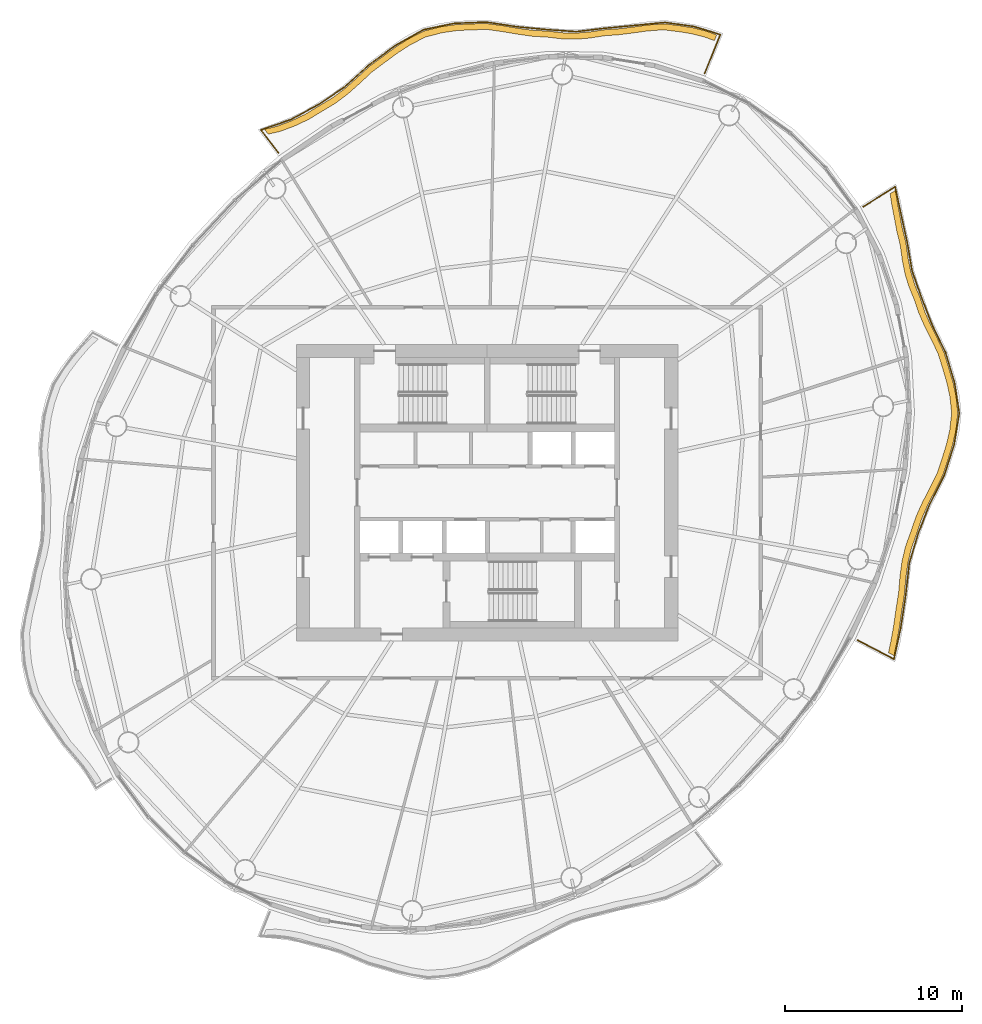
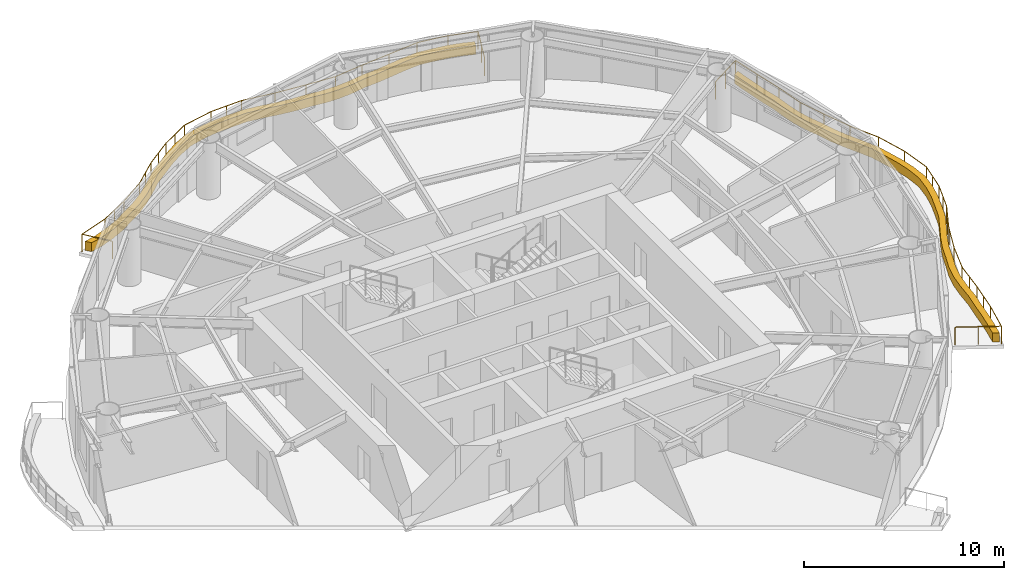
# One storey, part 14 of 14: 2 coverings, 2 railings.
"""IFC4 building model written with IfcOpenShell, lengths in metres."""

from ifc_helpers import new_model, si_unit, direction, frame, origin, origin_2d, place, context, subcontext, project, spatial, polyline, circle, outline, extrude, material, type_object, element, save


model = new_model("IFC4")

# Units and contexts
model_context = context("Model", 3, precision=1e-05, world=origin(), true_north=direction((0.0, 1.0)))
body_context = subcontext(model_context, "Body", "Model", "MODEL_VIEW")
ifc_project = project(units=[si_unit("LENGTHUNIT", "METRE"), si_unit("AREAUNIT", "SQUARE_METRE"), si_unit("VOLUMEUNIT", "CUBIC_METRE"), si_unit("PLANEANGLEUNIT", "RADIAN"), si_unit("MASSUNIT", "GRAM", prefix="KILO")], contexts=[model_context])

# Site, building, storey
site_placement = place(None, origin())
site = spatial("IfcSite", under=ifc_project, at=site_placement, CompositionType="ELEMENT")
building_placement = place(site_placement, origin())
building = spatial("IfcBuilding", under=site, at=building_placement, Name="Vermilion Reach Broadcast Tower", CompositionType="ELEMENT")
storey_placement = place(building_placement, frame((0.0, 0.0, 231.699951171875)))
storey = spatial("IfcBuildingStorey", under=building, at=storey_placement, Name="L57", CompositionType="ELEMENT", Elevation=231.699951171875)

# Coverings
ifc_material_1 = material(Name="Planting soil and greenery")
covering_type = type_object("IfcCoveringType", Name="Balcony PLANTER", PredefinedType="USERDEFINED", material=ifc_material_1)
placement = place(storey_placement, origin())
element("IfcCovering", 1, at=placement, inside=storey, type_object=covering_type, Name="PLANTER L57 group 1", ObjectType="PLANTER", PredefinedType="USERDEFINED", context=body_context, shape_type="SweptSolid", body=[
    extrude(outline(polyline([(7.0029296875, 25.924072265625), (6.413818359375, 26.1416015625), (5.696044921875, 26.32470703125), (4.95751953125, 26.443115234375), (4.050537109375, 26.55615234375), (3.114013671875, 26.491455078125), (2.33203125, 26.384033203125), (1.551025390625, 26.28271484375), (0.684814453125, 26.226318359375), (-0.182373046875, 26.09521484375), (-0.957763671875, 26.033203125), (-1.73193359375, 26.04931640625), (-2.582275390625, 26.144775390625), (-3.466796875, 26.194091796875), (-4.281005859375, 26.306396484375), (-5.098388671875, 26.447509765625), (-6.04248046875, 26.57421875), (-7.009521484375, 26.55078125), (-7.8388671875, 26.504638671875), (-8.649658203125, 26.384521484375), (-9.583740234375, 26.144287109375), (-10.46728515625, 25.701416015625), (-11.183837890625, 25.239990234375), (-11.880126953125, 24.7265625), (-12.65966796875, 24.15380859375), (-13.383056640625, 23.487548828125), (-14.03857421875, 22.90478515625), (-14.726806640625, 22.384033203125), (-15.50927734375, 21.91455078125), (-16.299560546875, 21.431884765625), (-17.09326171875, 21.05859375), (-17.927490234375, 20.7451171875), (-18.615478515625, 20.5830078125), (-18.40234375, 20.305419921875), (-17.72998046875, 20.4560546875), (-16.8955078125, 20.769775390625), (-16.10205078125, 21.142822265625), (-15.328125, 21.614990234375), (-14.56298828125, 22.074951171875), (-13.874755859375, 22.595458984375), (-13.21923828125, 23.17822265625), (-12.51416015625, 23.83544921875), (-11.75341796875, 24.400390625), (-11.05712890625, 24.91357421875), (-10.340576171875, 25.375), (-9.477294921875, 25.81103515625), (-8.563720703125, 26.045166015625), (-7.7529296875, 26.165283203125), (-6.92333984375, 26.21142578125), (-5.978515625, 26.22998046875), (-5.056640625, 26.099853515625), (-4.239013671875, 25.958984375), (-3.425048828125, 25.8466796875), (-2.564208984375, 25.795166015625), (-1.7373046875, 25.69921875), (-0.963134765625, 25.68310546875), (-0.18798828125, 25.745361328125), (0.654541015625, 25.877685546875), (1.49609375, 25.937255859375), (2.277099609375, 26.038330078125), (3.05908203125, 26.145751953125), (3.969970703125, 26.215576171875), (4.851806640625, 26.109375), (5.59033203125, 25.9912109375), (6.30810546875, 25.807861328125), (6.871826171875, 25.599609375), (7.0029296875, 25.924072265625)])), origin(), (0.0, 0.0, 1.0), 0.550048828125),
])
element("IfcCovering", 2, at=placement, inside=storey, type_object=covering_type, Name="PLANTER L57 group 4", ObjectType="PLANTER", PredefinedType="USERDEFINED", context=body_context, shape_type="SweptSolid", body=[
    extrude(outline(polyline([(17.03857421875, -9.228271484375), (17.1875, -8.530517578125), (17.34521484375, -7.651123046875), (17.469970703125, -6.75634765625), (17.6298828125, -5.78515625), (17.7119140625, -4.8271484375), (17.830322265625, -3.969482421875), (18.030517578125, -3.138671875), (18.341064453125, -2.27734375), (18.6318359375, -1.419677734375), (18.9814453125, -0.638671875), (19.37841796875, 0.13330078125), (19.814697265625, 1.01416015625), (20.11669921875, 1.923828125), (20.36572265625, 2.72265625), (20.546630859375, 3.526611328125), (20.6572265625, 4.493896484375), (20.55810546875, 5.442138671875), (20.390380859375, 6.229248046875), (20.16015625, 7.01318359375), (19.88427734375, 7.92041015625), (19.485107421875, 8.760986328125), (19.124267578125, 9.48046875), (18.80224609375, 10.20751953125), (18.525146484375, 11.02294921875), (18.21044921875, 11.79638671875), (17.99267578125, 12.520263671875), (17.84326171875, 13.267822265625), (17.72021484375, 14.1298828125), (17.51171875, 14.968017578125), (17.368896484375, 15.72705078125), (17.224609375, 16.485595703125), (17.119384765625, 17.116943359375), (16.822021484375, 16.932373046875), (16.9140625, 16.324462890625), (17.058349609375, 15.56591796875), (17.201171875, 14.806884765625), (17.3984375, 13.9921875), (17.51220703125, 13.154541015625), (17.66162109375, 12.406982421875), (17.879150390625, 11.68310546875), (18.186767578125, 10.933349609375), (18.458251953125, 10.142578125), (18.7802734375, 9.41552734375), (19.14111328125, 8.69580078125), (19.536865234375, 7.878662109375), (19.810791015625, 6.994873046875), (20.040771484375, 6.211181640625), (20.20849609375, 5.424072265625), (20.307373046875, 4.498046875), (20.19775390625, 3.55322265625), (20.0166015625, 2.749267578125), (19.767578125, 1.950439453125), (19.468017578125, 1.06201171875), (19.03515625, 0.202392578125), (18.638427734375, -0.569580078125), (18.28857421875, -1.350830078125), (18.002685546875, -2.1884765625), (17.69775390625, -3.030029296875), (17.49755859375, -3.861083984375), (17.37939453125, -4.718505859375), (17.3037109375, -5.657958984375), (17.151611328125, -6.611083984375), (17.02685546875, -7.505615234375), (16.869140625, -8.38525390625), (16.728759765625, -9.065673828125), (17.03857421875, -9.228271484375)])), origin(), (0.0, 0.0, 1.0), 0.550048828125),
])

# Railings
ifc_material_2 = material(Name="Stainless steel 316 balustrade", Category="steel")
railing_type = type_object("IfcRailingType", Name="Balcony guard 1100", PredefinedType="BALUSTRADE", material=ifc_material_2)
railing_1_placement = place(storey_placement, frame((6.321044921875, 23.75830078125, 0.0)))
element("IfcRailing", 3, at=railing_1_placement, inside=storey, type_object=railing_type, Name="Balcony guard L57 group 1", PredefinedType="BALUSTRADE", context=body_context, shape_type="SweptSolid", body=[
    extrude(circle(Radius=0.02490234375, at=origin_2d()), frame((0.0, 0.0, 1.0751953125), z_axis=(0.374762662245, 0.927120783387, 0.0), x_axis=(-0.927120783387, 0.374762662245, 0.0)), (0.0, 0.0, 1.0), 2.357666015625),
    extrude(circle(Radius=0.02490234375, at=origin_2d()), frame((0.883544921875, 2.185791015625, 1.0751953125), z_axis=(-0.955724612603, 0.294262578091, 0.0), x_axis=(-0.294262578091, -0.955724612603, 0.0)), (0.0, 0.0, 1.0), 1.55322265625),
    extrude(circle(Radius=0.02490234375, at=origin_2d()), frame((-0.600830078125, 2.642822265625, 1.0751953125), z_axis=(-0.990199719884, 0.139658564868, 0.0), x_axis=(-0.139658564868, -0.990199719884, 0.0)), (0.0, 0.0, 1.0), 1.667724609375),
    extrude(circle(Radius=0.02490234375, at=origin_2d()), frame((-2.252197265625, 2.875732421875, 1.0751953125), z_axis=(-0.995109473683, -0.09877821312, 0.0), x_axis=(0.09877821312, -0.995109473683, 0.0)), (0.0, 0.0, 1.0), 1.732666015625),
    extrude(circle(Radius=0.02490234375, at=origin_2d()), frame((-3.976318359375, 2.70458984375, 1.0751953125), z_axis=(-0.995533723564, -0.094406595351, 0.0), x_axis=(0.094406595351, -0.995533723564, 0.0)), (0.0, 0.0, 1.0), 1.66015625),
    extrude(circle(Radius=0.02490234375, at=origin_2d()), frame((-5.629150390625, 2.5478515625, 1.0751953125), z_axis=(-0.993207717961, -0.116354754874, 0.0), x_axis=(0.116354754874, -0.993207717961, 0.0)), (0.0, 0.0, 1.0), 1.65966796875),
    extrude(circle(Radius=0.02490234375, at=origin_2d()), frame((-7.277587890625, 2.354736328125, 1.0751953125), z_axis=(-0.99766591291, 0.068284157885, 0.0), x_axis=(-0.068284157885, -0.99766591291, 0.0)), (0.0, 0.0, 1.0), 1.634033203125),
    extrude(circle(Radius=0.02490234375, at=origin_2d()), frame((-8.90771484375, 2.46630859375, 1.0751953125), z_axis=(-0.995544703685, 0.094290736371, 0.0), x_axis=(-0.094290736371, -0.995544703685, 0.0)), (0.0, 0.0, 1.0), 1.71142578125),
    extrude(circle(Radius=0.02490234375, at=origin_2d()), frame((-10.611572265625, 2.627685546875, 1.0751953125), z_axis=(-0.988783480701, 0.149356045385, 0.0), x_axis=(-0.149356045385, -0.988783480701, 0.0)), (0.0, 0.0, 1.0), 1.78662109375),
    extrude(circle(Radius=0.02490234375, at=origin_2d()), frame((-12.378173828125, 2.89453125, 1.0751953125), z_axis=(-0.999228620231, -0.039270402476, 0.0), x_axis=(0.039270402476, -0.999228620231, 0.0)), (0.0, 0.0, 1.0), 1.802978515625),
    extrude(circle(Radius=0.02490234375, at=origin_2d()), frame((-14.1796875, 2.82373046875, 1.0751953125), z_axis=(-0.979331418122, -0.2022621405, 0.0), x_axis=(0.2022621405, -0.979331418122, 0.0)), (0.0, 0.0, 1.0), 1.786376953125),
    extrude(circle(Radius=0.02490234375, at=origin_2d()), frame((-15.92919921875, 2.46240234375, 1.0751953125), z_axis=(-0.870710851758, -0.491795295454, 0.0), x_axis=(0.491795295454, -0.870710851758, 0.0)), (0.0, 0.0, 1.0), 1.8427734375),
    extrude(circle(Radius=0.02490234375, at=origin_2d()), frame((-17.53369140625, 1.55615234375, 1.0751953125), z_axis=(-0.805783446551, -0.592210298175, 0.0), x_axis=(0.592210298175, -0.805783446551, 0.0)), (0.0, 0.0, 1.0), 1.8369140625),
    extrude(circle(Radius=0.02490234375, at=origin_2d()), frame((-19.013916015625, 0.46826171875, 1.0751953125), z_axis=(-0.741631917112, -0.670807050888, 0.0), x_axis=(0.670807050888, -0.741631917112, 0.0)), (0.0, 0.0, 1.0), 1.864990234375),
    extrude(circle(Radius=0.02490234375, at=origin_2d()), frame((-20.39697265625, -0.78271484375, 1.0751953125), z_axis=(-0.829548594758, -0.558434534153, 0.0), x_axis=(0.558434534153, -0.829548594758, 0.0)), (0.0, 0.0, 1.0), 1.777587890625),
    extrude(circle(Radius=0.02490234375, at=origin_2d()), frame((-21.87158203125, -1.775390625, 1.0751953125), z_axis=(-0.879744741967, -0.475446305045, 0.0), x_axis=(0.475446305045, -0.879744741967, 0.0)), (0.0, 0.0, 1.0), 1.804931640625),
    extrude(circle(Radius=0.02490234375, at=origin_2d()), frame((-23.45947265625, -2.633544921875, 1.0751953125), z_axis=(-0.94494019597, -0.327243068742, 0.0), x_axis=(0.327243068742, -0.94494019597, 0.0)), (0.0, 0.0, 1.0), 1.77197265625),
    extrude(circle(Radius=0.02490234375, at=origin_2d()), frame((-25.1337890625, -3.21337890625, 1.0751953125), z_axis=(0.608954046078, -0.793205502859, 0.0), x_axis=(0.793205502859, 0.608954046078, 0.0)), (0.0, 0.0, 1.0), 1.6376953125),
    extrude(circle(Radius=0.02490234375, at=origin_2d()), origin(), (0.0, 0.0, 1.0), 1.050048828125),
    extrude(circle(Radius=0.02490234375, at=origin_2d()), frame((0.44189453125, 1.0927734375, 0.0)), (0.0, 0.0, 1.0), 1.050048828125),
    extrude(circle(Radius=0.02490234375, at=origin_2d()), frame((0.883544921875, 2.185791015625, 0.0)), (0.0, 0.0, 1.0), 1.050048828125),
    extrude(circle(Radius=0.02490234375, at=origin_2d()), frame((-0.600830078125, 2.642822265625, 0.0)), (0.0, 0.0, 1.0), 1.050048828125),
    extrude(circle(Radius=0.02490234375, at=origin_2d()), frame((-2.252197265625, 2.875732421875, 0.0)), (0.0, 0.0, 1.0), 1.050048828125),
    extrude(circle(Radius=0.02490234375, at=origin_2d()), frame((-3.976318359375, 2.70458984375, 0.0)), (0.0, 0.0, 1.0), 1.050048828125),
    extrude(circle(Radius=0.02490234375, at=origin_2d()), frame((-5.629150390625, 2.5478515625, 0.0)), (0.0, 0.0, 1.0), 1.050048828125),
    extrude(circle(Radius=0.02490234375, at=origin_2d()), frame((-7.277587890625, 2.354736328125, 0.0)), (0.0, 0.0, 1.0), 1.050048828125),
    extrude(circle(Radius=0.02490234375, at=origin_2d()), frame((-8.90771484375, 2.46630859375, 0.0)), (0.0, 0.0, 1.0), 1.050048828125),
    extrude(circle(Radius=0.02490234375, at=origin_2d()), frame((-10.611572265625, 2.627685546875, 0.0)), (0.0, 0.0, 1.0), 1.050048828125),
    extrude(circle(Radius=0.02490234375, at=origin_2d()), frame((-12.378173828125, 2.89453125, 0.0)), (0.0, 0.0, 1.0), 1.050048828125),
    extrude(circle(Radius=0.02490234375, at=origin_2d()), frame((-13.27880859375, 2.859130859375, 0.0)), (0.0, 0.0, 1.0), 1.050048828125),
    extrude(circle(Radius=0.02490234375, at=origin_2d()), frame((-14.1796875, 2.82373046875, 0.0)), (0.0, 0.0, 1.0), 1.050048828125),
    extrude(circle(Radius=0.02490234375, at=origin_2d()), frame((-15.92919921875, 2.46240234375, 0.0)), (0.0, 0.0, 1.0), 1.050048828125),
    extrude(circle(Radius=0.02490234375, at=origin_2d()), frame((-16.7314453125, 2.00927734375, 0.0)), (0.0, 0.0, 1.0), 1.050048828125),
    extrude(circle(Radius=0.02490234375, at=origin_2d()), frame((-17.53369140625, 1.55615234375, 0.0)), (0.0, 0.0, 1.0), 1.050048828125),
    extrude(circle(Radius=0.02490234375, at=origin_2d()), frame((-18.27392578125, 1.01220703125, 0.0)), (0.0, 0.0, 1.0), 1.050048828125),
    extrude(circle(Radius=0.02490234375, at=origin_2d()), frame((-19.013916015625, 0.46826171875, 0.0)), (0.0, 0.0, 1.0), 1.050048828125),
    extrude(circle(Radius=0.02490234375, at=origin_2d()), frame((-19.70556640625, -0.1572265625, 0.0)), (0.0, 0.0, 1.0), 1.050048828125),
    extrude(circle(Radius=0.02490234375, at=origin_2d()), frame((-20.39697265625, -0.78271484375, 0.0)), (0.0, 0.0, 1.0), 1.050048828125),
    extrude(circle(Radius=0.02490234375, at=origin_2d()), frame((-21.87158203125, -1.775390625, 0.0)), (0.0, 0.0, 1.0), 1.050048828125),
    extrude(circle(Radius=0.02490234375, at=origin_2d()), frame((-22.66552734375, -2.20458984375, 0.0)), (0.0, 0.0, 1.0), 1.050048828125),
    extrude(circle(Radius=0.02490234375, at=origin_2d()), frame((-23.45947265625, -2.633544921875, 0.0)), (0.0, 0.0, 1.0), 1.050048828125),
    extrude(circle(Radius=0.02490234375, at=origin_2d()), frame((-25.1337890625, -3.21337890625, 0.0)), (0.0, 0.0, 1.0), 1.050048828125),
    extrude(circle(Radius=0.02490234375, at=origin_2d()), frame((-24.136474609375, -4.512451171875, 0.0)), (0.0, 0.0, 1.0), 1.050048828125),
])
railing_2_placement = place(storey_placement, frame((14.98193359375, -8.3525390625, 0.0)))
element("IfcRailing", 4, at=railing_2_placement, inside=storey, type_object=railing_type, Name="Balcony guard L57 group 4", PredefinedType="BALUSTRADE", context=body_context, shape_type="SweptSolid", body=[
    extrude(circle(Radius=0.02490234375, at=origin_2d()), frame((0.0, 0.0, 1.0751953125), z_axis=(0.885579897474, -0.464487077528, 0.0), x_axis=(0.464487077528, 0.885579897474, 0.0)), (0.0, 0.0, 1.0), 2.31787109375),
    extrude(circle(Radius=0.02490234375, at=origin_2d()), frame((2.052734375, -1.07666015625, 1.0751953125), z_axis=(0.214556750048, 0.976711523946, 0.0), x_axis=(-0.976711523946, 0.214556750048, 0.0)), (0.0, 0.0, 1.0), 1.786376953125),
    extrude(circle(Radius=0.02490234375, at=origin_2d()), frame((2.43603515625, 0.668212890625, 1.0751953125), z_axis=(0.151368663821, 0.988477378402, 0.0), x_axis=(-0.988477378402, 0.151368663821, 0.0)), (0.0, 0.0, 1.0), 1.891845703125),
    extrude(circle(Radius=0.02490234375, at=origin_2d()), frame((2.722412109375, 2.538330078125, 1.0751953125), z_axis=(0.110270543357, 0.993901608444, 0.0), x_axis=(-0.993901608444, 0.110270543357, 0.0)), (0.0, 0.0, 1.0), 1.8310546875),
    extrude(circle(Radius=0.02490234375, at=origin_2d()), frame((2.92431640625, 4.358154296875, 1.0751953125), z_axis=(0.289028413968, 0.957320518906, 0.0), x_axis=(-0.957320518906, 0.289028413968, 0.0)), (0.0, 0.0, 1.0), 1.772216796875),
    extrude(circle(Radius=0.02490234375, at=origin_2d()), frame((3.4365234375, 6.0546875, 1.0751953125), z_axis=(0.363647925046, 0.931536465529, 0.0), x_axis=(-0.931536465529, 0.363647925046, 0.0)), (0.0, 0.0, 1.0), 1.764404296875),
    extrude(circle(Radius=0.02490234375, at=origin_2d()), frame((4.078125, 7.6982421875, 1.0751953125), z_axis=(0.449370324054, 0.893345572475, 0.0), x_axis=(-0.893345572475, 0.449370324054, 0.0)), (0.0, 0.0, 1.0), 1.85546875),
    extrude(circle(Radius=0.02490234375, at=origin_2d()), frame((4.911865234375, 9.355712890625, 1.0751953125), z_axis=(0.306527200413, 0.951861899336, 0.0), x_axis=(-0.951861899336, 0.306527200413, 0.0)), (0.0, 0.0, 1.0), 1.800048828125),
    extrude(circle(Radius=0.02490234375, at=origin_2d()), frame((5.463623046875, 11.069091796875, 1.0751953125), z_axis=(0.162067310056, 0.986779705411, 0.0), x_axis=(-0.986779705411, 0.162067310056, 0.0)), (0.0, 0.0, 1.0), 1.800048828125),
    extrude(circle(Radius=0.02490234375, at=origin_2d()), frame((5.75537109375, 12.845458984375, 1.0751953125), z_axis=(-0.151682099479, 0.988429330148, 0.0), x_axis=(-0.988429330148, -0.151682099479, 0.0)), (0.0, 0.0, 1.0), 1.7607421875),
    extrude(circle(Radius=0.02490234375, at=origin_2d()), frame((5.48828125, 14.5859375, 1.0751953125), z_axis=(-0.286120560366, 0.958193626015, 0.0), x_axis=(-0.958193626015, -0.286120560366, 0.0)), (0.0, 0.0, 1.0), 1.7705078125),
    extrude(circle(Radius=0.02490234375, at=origin_2d()), frame((4.981689453125, 16.282470703125, 1.0751953125), z_axis=(-0.437199009823, 0.899364790177, 0.0), x_axis=(-0.899364790177, -0.437199009823, 0.0)), (0.0, 0.0, 1.0), 1.740478515625),
    extrude(circle(Radius=0.02490234375, at=origin_2d()), frame((4.220703125, 17.847900390625, 1.0751953125), z_axis=(-0.361480891838, 0.932379517598, 0.0), x_axis=(-0.932379517598, -0.361480891838, 0.0)), (0.0, 0.0, 1.0), 1.66015625),
    extrude(circle(Radius=0.02490234375, at=origin_2d()), frame((3.62060546875, 19.395751953125, 1.0751953125), z_axis=(-0.334900958102, 0.942253335501, 0.0), x_axis=(-0.942253335501, -0.334900958102, 0.0)), (0.0, 0.0, 1.0), 1.594970703125),
    extrude(circle(Radius=0.02490234375, at=origin_2d()), frame((3.08642578125, 20.898681640625, 1.0751953125), z_axis=(-0.16749121683, 0.985873568103, 0.0), x_axis=(-0.985873568103, -0.16749121683, 0.0)), (0.0, 0.0, 1.0), 1.638427734375),
    extrude(circle(Radius=0.02490234375, at=origin_2d()), frame((2.81201171875, 22.513916015625, 1.0751953125), z_axis=(-0.215701705107, 0.976459305048, 0.0), x_axis=(-0.976459305048, -0.215701705107, 0.0)), (0.0, 0.0, 1.0), 1.64111328125),
    extrude(circle(Radius=0.02490234375, at=origin_2d()), frame((2.4580078125, 24.116455078125, 1.0751953125), z_axis=(-0.210849373027, 0.977518563452, 0.0), x_axis=(-0.977518563452, -0.210849373027, 0.0)), (0.0, 0.0, 1.0), 1.591064453125),
    extrude(circle(Radius=0.02490234375, at=origin_2d()), frame((2.12255859375, 25.671630859375, 1.0751953125), z_axis=(-0.849437342004, -0.527689493935, 0.0), x_axis=(0.527689493935, -0.849437342004, 0.0)), (0.0, 0.0, 1.0), 2.120849609375),
    extrude(circle(Radius=0.02490234375, at=origin_2d()), origin(), (0.0, 0.0, 1.0), 1.050048828125),
    extrude(circle(Radius=0.02490234375, at=origin_2d()), frame((1.0263671875, -0.538330078125, 0.0)), (0.0, 0.0, 1.0), 1.050048828125),
    extrude(circle(Radius=0.02490234375, at=origin_2d()), frame((2.052734375, -1.07666015625, 0.0)), (0.0, 0.0, 1.0), 1.050048828125),
    extrude(circle(Radius=0.02490234375, at=origin_2d()), frame((2.43603515625, 0.668212890625, 0.0)), (0.0, 0.0, 1.0), 1.050048828125),
    extrude(circle(Radius=0.02490234375, at=origin_2d()), frame((2.5791015625, 1.603271484375, 0.0)), (0.0, 0.0, 1.0), 1.050048828125),
    extrude(circle(Radius=0.02490234375, at=origin_2d()), frame((2.722412109375, 2.538330078125, 0.0)), (0.0, 0.0, 1.0), 1.050048828125),
    extrude(circle(Radius=0.02490234375, at=origin_2d()), frame((2.8232421875, 3.4482421875, 0.0)), (0.0, 0.0, 1.0), 1.050048828125),
    extrude(circle(Radius=0.02490234375, at=origin_2d()), frame((2.92431640625, 4.358154296875, 0.0)), (0.0, 0.0, 1.0), 1.050048828125),
    extrude(circle(Radius=0.02490234375, at=origin_2d()), frame((3.4365234375, 6.0546875, 0.0)), (0.0, 0.0, 1.0), 1.050048828125),
    extrude(circle(Radius=0.02490234375, at=origin_2d()), frame((4.078125, 7.6982421875, 0.0)), (0.0, 0.0, 1.0), 1.050048828125),
    extrude(circle(Radius=0.02490234375, at=origin_2d()), frame((4.4951171875, 8.52685546875, 0.0)), (0.0, 0.0, 1.0), 1.050048828125),
    extrude(circle(Radius=0.02490234375, at=origin_2d()), frame((4.911865234375, 9.355712890625, 0.0)), (0.0, 0.0, 1.0), 1.050048828125),
    extrude(circle(Radius=0.02490234375, at=origin_2d()), frame((5.187744140625, 10.21240234375, 0.0)), (0.0, 0.0, 1.0), 1.050048828125),
    extrude(circle(Radius=0.02490234375, at=origin_2d()), frame((5.463623046875, 11.069091796875, 0.0)), (0.0, 0.0, 1.0), 1.050048828125),
    extrude(circle(Radius=0.02490234375, at=origin_2d()), frame((5.609375, 11.957275390625, 0.0)), (0.0, 0.0, 1.0), 1.050048828125),
    extrude(circle(Radius=0.02490234375, at=origin_2d()), frame((5.75537109375, 12.845458984375, 0.0)), (0.0, 0.0, 1.0), 1.050048828125),
    extrude(circle(Radius=0.02490234375, at=origin_2d()), frame((5.48828125, 14.5859375, 0.0)), (0.0, 0.0, 1.0), 1.050048828125),
    extrude(circle(Radius=0.02490234375, at=origin_2d()), frame((4.981689453125, 16.282470703125, 0.0)), (0.0, 0.0, 1.0), 1.050048828125),
    extrude(circle(Radius=0.02490234375, at=origin_2d()), frame((4.220703125, 17.847900390625, 0.0)), (0.0, 0.0, 1.0), 1.050048828125),
    extrude(circle(Radius=0.02490234375, at=origin_2d()), frame((3.62060546875, 19.395751953125, 0.0)), (0.0, 0.0, 1.0), 1.050048828125),
    extrude(circle(Radius=0.02490234375, at=origin_2d()), frame((3.08642578125, 20.898681640625, 0.0)), (0.0, 0.0, 1.0), 1.050048828125),
    extrude(circle(Radius=0.02490234375, at=origin_2d()), frame((2.81201171875, 22.513916015625, 0.0)), (0.0, 0.0, 1.0), 1.050048828125),
    extrude(circle(Radius=0.02490234375, at=origin_2d()), frame((2.4580078125, 24.116455078125, 0.0)), (0.0, 0.0, 1.0), 1.050048828125),
    extrude(circle(Radius=0.02490234375, at=origin_2d()), frame((2.12255859375, 25.671630859375, 0.0)), (0.0, 0.0, 1.0), 1.050048828125),
    extrude(circle(Radius=0.02490234375, at=origin_2d()), frame((1.2216796875, 25.112060546875, 0.0)), (0.0, 0.0, 1.0), 1.050048828125),
    extrude(circle(Radius=0.02490234375, at=origin_2d()), frame((0.321044921875, 24.552490234375, 0.0)), (0.0, 0.0, 1.0), 1.050048828125),
])

save(model, "model.ifc")
